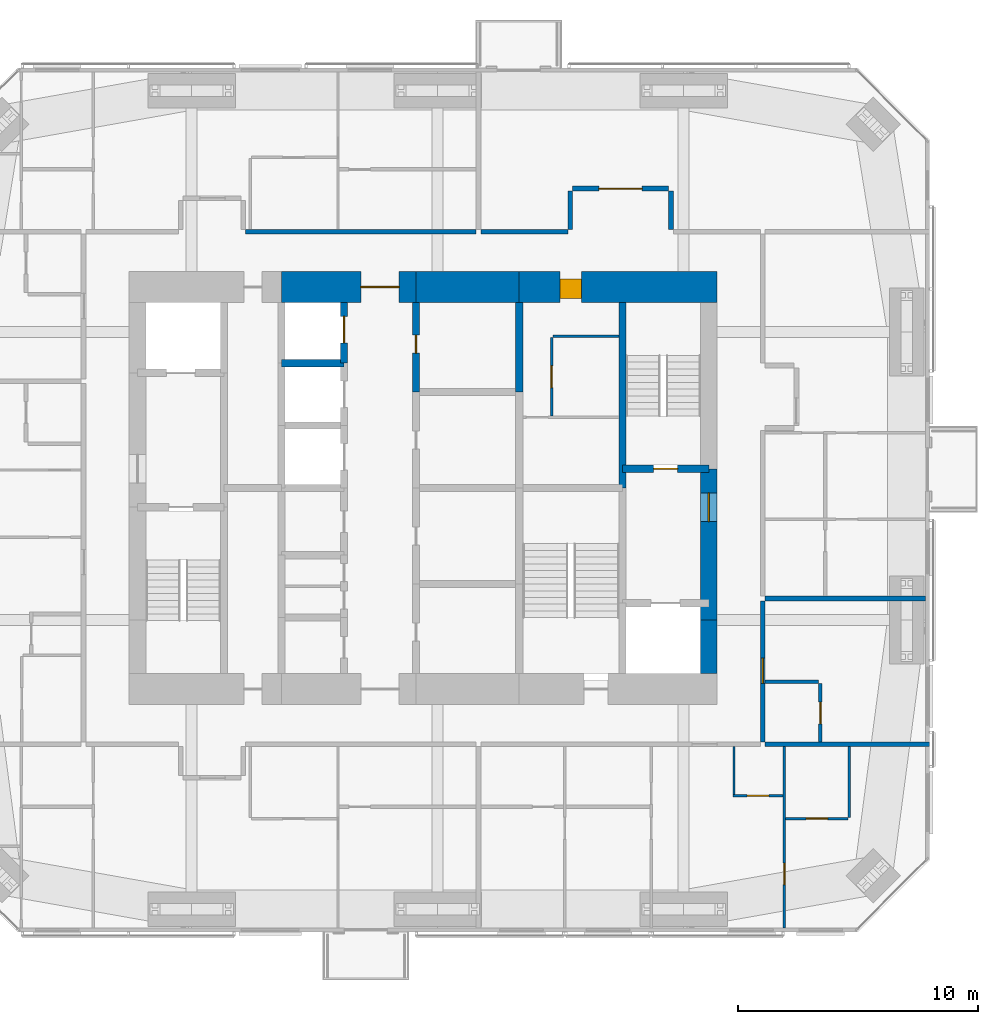
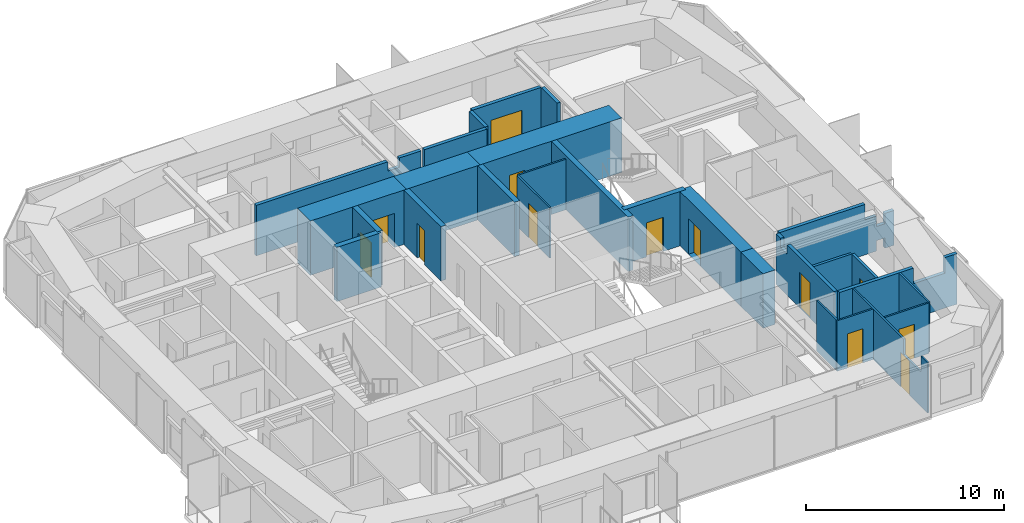
# One storey, part 19 of 22: 28 walls, 13 doors, 13 openings.
"""IFC4 building model written with IfcOpenShell, lengths in metres."""

from ifc_helpers import new_model, si_unit, direction, frame, frame_2d, origin, place, context, subcontext, project, spatial, polyline, rectangle, outline, extrude, material, layer, layer_set, constituent, constituent_set, type_object, element, fill, save


model = new_model("IFC4")

# Units and contexts
model_context = context("Model", 3, precision=1e-05, world=origin(), true_north=direction((0.0, 1.0)))
body_context = subcontext(model_context, "Body", "Model", "MODEL_VIEW")
ifc_project = project(units=[si_unit("LENGTHUNIT", "METRE"), si_unit("AREAUNIT", "SQUARE_METRE"), si_unit("VOLUMEUNIT", "CUBIC_METRE"), si_unit("PLANEANGLEUNIT", "RADIAN"), si_unit("MASSUNIT", "GRAM", prefix="KILO")], contexts=[model_context])

# Site, building, storey
site_placement = place(None, origin())
site = spatial("IfcSite", under=ifc_project, at=site_placement, CompositionType="ELEMENT")
building_placement = place(site_placement, origin())
building = spatial("IfcBuilding", under=site, at=building_placement, Name="Jalousie Tower", CompositionType="ELEMENT")
storey_placement = place(building_placement, frame((0.0, 0.0, 201.25)))
storey = spatial("IfcBuildingStorey", under=building, at=storey_placement, Name="L55", CompositionType="ELEMENT", Elevation=201.25)

# Wall, opening, door
ifc_material_1 = material(Name="Concrete block ASTM C90", Category="concrete")
ifc_constituent_1 = constituent(ifc_material_1, Name="Body")
ifc_material_2 = material(Name="Render")
ifc_constituent_2 = constituent(ifc_material_2, Name="Finish")
ifc_constituent_set_1 = constituent_set(constituents=[ifc_constituent_1, ifc_constituent_2])
wall_type_1 = type_object("IfcWallType", Name="BATHROOM WALL 150", PredefinedType="PLUMBINGWALL", material=ifc_constituent_set_1)
wall_1_placement = place(storey_placement, frame((48.449951171875, 7.925048828125, 0.0), z_axis=(0.0, 0.0, 1.0), x_axis=(0.0, 1.0, 0.0)))
wall_1 = element("IfcWall", 1, at=wall_1_placement, inside=storey, type_object=wall_type_1, Name="Bathroom Wall 150 L55", PredefinedType="PLUMBINGWALL", context=body_context, shape_type="SweptSolid", body=[
    extrude(rectangle(XDim=2.425048828125, YDim=0.14990234375, at=frame_2d((1.21240234375, 0.0))), origin(), (0.0, 0.0, 1.0), 3.110107421875),
])
opening_1_placement = place(wall_1_placement, frame((0.75, 0.0, 0.0)))
opening_1 = element("IfcOpeningElement", 2, at=opening_1_placement, cuts=wall_1, Name="Opening D3", PredefinedType="OPENING", context=body_context, shape_type="SweptSolid", body=[
    extrude(rectangle(XDim=0.89990234375, YDim=2.10009765625, at=frame_2d((0.449951171875, 1.050048828125))), frame((0.0, 0.0849609375, 0.0), z_axis=(0.0, -1.0, 0.0), x_axis=(1.0, 0.0, 0.0)), (0.0, 0.0, 1.0), 0.169921875),
])
ifc_material_3 = material(Name="Timber door", Category="wood")
door_type_1 = type_object("IfcDoorType", Name="BATHROOM DOOR 900", OperationType="SINGLE_SWING_LEFT", PredefinedType="DOOR", material=ifc_material_3)
door_1_placement = place(opening_1_placement, origin())
door_1 = element("IfcDoor", 3, at=door_1_placement, inside=storey, type_object=door_type_1, Name="Apartment 5506 bathroom door", OperationType="SINGLE_SWING_LEFT", OverallHeight=2.10009765625, OverallWidth=0.89990234375, PredefinedType="DOOR", context=body_context, shape_type="SweptSolid", body=[
    extrude(rectangle(XDim=0.89990234375, YDim=2.10009765625, at=frame_2d((0.449951171875, 1.050048828125))), frame((0.0, 0.02490234375, 0.0), z_axis=(0.0, -1.0, 0.0), x_axis=(1.0, 0.0, 0.0)), (0.0, 0.0, 1.0), 0.050048828125),
])
fill(opening_1, door_1)

# Wall
wall_2_placement = place(storey_placement, frame((48.375, 10.425048828125, 0.0), z_axis=(0.0, 0.0, 1.0), x_axis=(-1.0, 0.0, 0.0)))
element("IfcWall", 4, at=wall_2_placement, inside=storey, type_object=wall_type_1, Name="Bathroom Wall 150 L55", PredefinedType="PLUMBINGWALL", context=body_context, shape_type="SweptSolid", body=[
    extrude(rectangle(XDim=2.22509765625, YDim=0.14990234375, at=frame_2d((1.112548828125, 0.0))), origin(), (0.0, 0.0, 1.0), 3.110107421875),
])

# Wall, opening, door
ifc_material_4 = material(Name="Concrete f'c 120 MPa", Category="concrete")
ifc_layer_1 = layer(ifc_material_4, 1.300048828125)
ifc_layer_set_1 = layer_set([ifc_layer_1], Name="Concrete f'c 120 MPa")
wall_type_2 = type_object("IfcWallType", Name="CORE WALL 1300", PredefinedType="SHEAR", material=ifc_layer_set_1)
wall_3_placement = place(storey_placement, frame((44.14990234375, 26.875, 0.0), z_axis=(0.0, 0.0, 1.0), x_axis=(-1.0, 0.0, 0.0)))
wall_3 = element("IfcWall", 5, at=wall_3_placement, inside=storey, type_object=wall_type_2, Name="Core wall NA L55", PredefinedType="SHEAR", context=body_context, shape_type="SweptSolid", body=[
    extrude(rectangle(XDim=8.25, YDim=1.300048828125, at=frame_2d((4.125, 0.0))), origin(), (0.0, 0.0, 1.0), 3.35009765625),
])
opening_2_placement = place(wall_3_placement, frame((5.64990234375, 0.0, 0.0)))
opening_2 = element("IfcOpeningElement", 6, at=opening_2_placement, cuts=wall_3, Name="Opening D25", PredefinedType="OPENING", context=body_context, shape_type="SweptSolid", body=[
    extrude(rectangle(XDim=0.89990234375, YDim=2.10009765625, at=frame_2d((0.449951171875, 1.050048828125))), frame((0.0, 0.659912109375, 0.0), z_axis=(0.0, -1.0, 0.0), x_axis=(1.0, 0.0, 0.0)), (0.0, 0.0, 1.0), 1.320068359375),
])
ifc_material_5 = material(Name="Steel fire door", Category="steel")
door_type_2 = type_object("IfcDoorType", Name="SERVICE LOBBY DOOR 900", OperationType="SINGLE_SWING_LEFT", PredefinedType="DOOR", material=ifc_material_5)
door_2_placement = place(opening_2_placement, origin())
door_2 = element("IfcDoor", 7, at=door_2_placement, inside=storey, type_object=door_type_2, Name="Service lobby door", OperationType="SINGLE_SWING_RIGHT", OverallHeight=2.10009765625, OverallWidth=0.89990234375, PredefinedType="DOOR", context=body_context, shape_type="SweptSolid", body=[
    extrude(rectangle(XDim=0.89990234375, YDim=2.10009765625, at=frame_2d((0.449951171875, 1.050048828125))), frame((0.0, 0.47021484375, 0.0), z_axis=(0.0, -1.0, 0.0), x_axis=(1.0, 0.0, 0.0)), (0.0, 0.0, 1.0), 0.800048828125),
])
fill(opening_2, door_2)

# Wall
wall_4_placement = place(storey_placement, frame((35.89990234375, 26.875, 0.0), z_axis=(0.0, 0.0, 1.0), x_axis=(-1.0, 0.0, 0.0)))
element("IfcWall", 8, at=wall_4_placement, inside=storey, type_object=wall_type_2, Name="Core wall NB L55", PredefinedType="SHEAR", context=body_context, shape_type="SweptSolid", body=[
    extrude(rectangle(XDim=4.2998046875, YDim=1.300048828125, at=frame_2d((2.14990234375, 0.0))), origin(), (0.0, 0.0, 1.0), 3.35009765625),
])

# Wall, opening, door
wall_5_placement = place(storey_placement, frame((31.60009765625, 26.875, 0.0), z_axis=(0.0, 0.0, 1.0), x_axis=(-1.0, 0.0, 0.0)))
wall_5 = element("IfcWall", 9, at=wall_5_placement, inside=storey, type_object=wall_type_2, Name="Core wall NC L55", PredefinedType="SHEAR", context=body_context, shape_type="SweptSolid", body=[
    extrude(rectangle(XDim=5.60009765625, YDim=1.300048828125, at=frame_2d((2.800048828125, 0.0))), origin(), (0.0, 0.0, 1.0), 3.35009765625),
])
opening_3_placement = place(wall_5_placement, frame((0.699951171875, 0.0, 0.0)))
opening_3 = element("IfcOpeningElement", 10, at=opening_3_placement, cuts=wall_5, Name="Opening D15", PredefinedType="OPENING", context=body_context, shape_type="SweptSolid", body=[
    extrude(rectangle(XDim=1.60009765625, YDim=2.10009765625, at=frame_2d((0.800048828125, 1.050048828125))), frame((0.0, 0.659912109375, 0.0), z_axis=(0.0, -1.0, 0.0), x_axis=(1.0, 0.0, 0.0)), (0.0, 0.0, 1.0), 1.320068359375),
])
ifc_material_6 = material(Name="Steel fire door", Category="steel")
door_type_3 = type_object("IfcDoorType", Name="LIFT LOBBY DOOR 1600", OperationType="DOUBLE_DOOR_SINGLE_SWING", PredefinedType="DOOR", material=ifc_material_6)
door_3_placement = place(opening_3_placement, origin())
door_3 = element("IfcDoor", 11, at=door_3_placement, inside=storey, type_object=door_type_3, Name="Lift lobby north door", OperationType="DOUBLE_DOOR_SINGLE_SWING", OverallHeight=2.10009765625, OverallWidth=1.60009765625, PredefinedType="DOOR", context=body_context, shape_type="SweptSolid", body=[
    extrude(rectangle(XDim=1.60009765625, YDim=2.10009765625, at=frame_2d((0.800048828125, 1.050048828125))), frame((0.0, 0.02490234375, 0.0), z_axis=(0.0, -1.0, 0.0), x_axis=(1.0, 0.0, 0.0)), (0.0, 0.0, 1.0), 0.050048828125),
])
fill(opening_3, door_3)

ifc_material_7 = material(Name="Concrete f'c 120 MPa", Category="concrete")
ifc_layer_2 = layer(ifc_material_7, 0.300048828125)
ifc_layer_set_2 = layer_set([ifc_layer_2], Name="Concrete f'c 120 MPa")
wall_type_3 = type_object("IfcWallType", Name="CORE WALL 300", PredefinedType="SHEAR", material=ifc_layer_set_2)
wall_6_placement = place(storey_placement, frame((28.60009765625, 23.699951171875, 0.0), z_axis=(0.0, 0.0, 1.0), x_axis=(0.0, 1.0, 0.0)))
wall_6 = element("IfcWall", 12, at=wall_6_placement, inside=storey, type_object=wall_type_3, Name="Core wall X28.6F L55", PredefinedType="SHEAR", context=body_context, shape_type="SweptSolid", body=[
    extrude(rectangle(XDim=2.525146484375, YDim=0.300048828125, at=frame_2d((1.2626953125, 0.0))), origin(), (0.0, 0.0, 1.0), 3.35009765625),
])
opening_4_placement = place(wall_6_placement, frame((0.85009765625, 0.0, 0.0)))
opening_4 = element("IfcOpeningElement", 13, at=opening_4_placement, cuts=wall_6, Name="Opening LD1", PredefinedType="OPENING", context=body_context, shape_type="SweptSolid", body=[
    extrude(rectangle(XDim=1.10009765625, YDim=2.10009765625, at=frame_2d((0.550048828125, 1.050048828125))), frame((0.0, 0.159912109375, 0.0), z_axis=(0.0, -1.0, 0.0), x_axis=(1.0, 0.0, 0.0)), (0.0, 0.0, 1.0), 0.320068359375),
])
ifc_material_8 = material(Name="Steel lift landing door", Category="steel")
door_type_4 = type_object("IfcDoorType", Name="LIFT LANDING DOOR 1100", OperationType="SLIDING_TO_LEFT", PredefinedType="DOOR", material=ifc_material_8)
door_4_placement = place(opening_4_placement, origin())
door_4 = element("IfcDoor", 14, at=door_4_placement, inside=storey, type_object=door_type_4, Name="Lift P6 landing door", OperationType="SLIDING_TO_LEFT", OverallHeight=2.10009765625, OverallWidth=1.10009765625, PredefinedType="DOOR", context=body_context, shape_type="SweptSolid", body=[
    extrude(rectangle(XDim=1.10009765625, YDim=2.10009765625, at=frame_2d((0.550048828125, 1.050048828125))), frame((0.0, 0.02490234375, 0.0), z_axis=(0.0, -1.0, 0.0), x_axis=(1.0, 0.0, 0.0)), (0.0, 0.0, 1.0), 0.050048828125),
])
fill(opening_4, door_4)

wall_7_placement = place(storey_placement, frame((31.60009765625, 22.5, 0.0), z_axis=(0.0, 0.0, 1.0), x_axis=(0.0, 1.0, 0.0)))
wall_7 = element("IfcWall", 15, at=wall_7_placement, inside=storey, type_object=wall_type_3, Name="Core wall X31.6D L55", PredefinedType="SHEAR", context=body_context, shape_type="SweptSolid", body=[
    extrude(rectangle(XDim=3.72509765625, YDim=0.300048828125, at=frame_2d((1.862548828125, 0.0))), origin(), (0.0, 0.0, 1.0), 3.35009765625),
])
opening_5_placement = place(wall_7_placement, frame((1.625, 0.0, 0.0)))
opening_5 = element("IfcOpeningElement", 16, at=opening_5_placement, cuts=wall_7, Name="Opening D16", PredefinedType="OPENING", context=body_context, shape_type="SweptSolid", body=[
    extrude(rectangle(XDim=0.75, YDim=2.10009765625, at=frame_2d((0.375, 1.050048828125))), frame((0.0, 0.159912109375, 0.0), z_axis=(0.0, -1.0, 0.0), x_axis=(1.0, 0.0, 0.0)), (0.0, 0.0, 1.0), 0.320068359375),
])
ifc_material_9 = material(Name="Steel fire door", Category="steel")
door_type_5 = type_object("IfcDoorType", Name="RISER DOOR 750", OperationType="SINGLE_SWING_LEFT", PredefinedType="DOOR", material=ifc_material_9)
door_5_placement = place(opening_5_placement, frame((0.75, 0.0, 0.0), z_axis=(0.0, 0.0, 1.0), x_axis=(-1.0, 0.0, 0.0)))
door_5 = element("IfcDoor", 17, at=door_5_placement, inside=storey, type_object=door_type_5, Name="Water Services Room door", OperationType="SINGLE_SWING_LEFT", OverallHeight=2.10009765625, OverallWidth=0.75, PredefinedType="DOOR", context=body_context, shape_type="SweptSolid", body=[
    extrude(rectangle(XDim=0.75, YDim=2.10009765625, at=frame_2d((0.375, 1.050048828125))), frame((0.0, 0.02490234375, 0.0), z_axis=(0.0, -1.0, 0.0), x_axis=(1.0, 0.0, 0.0)), (0.0, 0.0, 1.0), 0.050048828125),
])
fill(opening_5, door_5)

# Walls
wall_8_placement = place(storey_placement, frame((35.89990234375, 22.5, 0.0), z_axis=(0.0, 0.0, 1.0), x_axis=(0.0, 1.0, 0.0)))
element("IfcWall", 18, at=wall_8_placement, inside=storey, type_object=wall_type_3, Name="Core wall X35.9D L55", PredefinedType="SHEAR", context=body_context, shape_type="SweptSolid", body=[
    extrude(rectangle(XDim=3.72509765625, YDim=0.300048828125, at=frame_2d((1.862548828125, 0.0))), origin(), (0.0, 0.0, 1.0), 3.35009765625),
])
wall_9_placement = place(storey_placement, frame((40.199951171875, 18.5, 0.0), z_axis=(0.0, 0.0, 1.0), x_axis=(0.0, 1.0, 0.0)))
element("IfcWall", 19, at=wall_9_placement, inside=storey, type_object=wall_type_3, Name="Core wall X40.2C L55", PredefinedType="SHEAR", context=body_context, shape_type="SweptSolid", body=[
    extrude(rectangle(XDim=7.72509765625, YDim=0.300048828125, at=frame_2d((3.862548828125, 0.0))), origin(), (0.0, 0.0, 1.0), 3.35009765625),
])
wall_10_placement = place(storey_placement, frame((26.0, 23.699951171875, 0.0), z_axis=(0.0, 0.0, 1.0), x_axis=(1.0, 0.0, 0.0)))
element("IfcWall", 20, at=wall_10_placement, inside=storey, type_object=wall_type_3, Name="Core wall Y26-23.7 L55", PredefinedType="SHEAR", context=body_context, shape_type="SweptSolid", body=[
    extrude(rectangle(XDim=2.60009765625, YDim=0.300048828125, at=frame_2d((1.300048828125, 0.0))), origin(), (0.0, 0.0, 1.0), 3.35009765625),
])

# Wall, opening, door
wall_11_placement = place(storey_placement, frame((40.199951171875, 19.300048828125, 0.0), z_axis=(0.0, 0.0, 1.0), x_axis=(1.0, 0.0, 0.0)))
wall_11 = element("IfcWall", 21, at=wall_11_placement, inside=storey, type_object=wall_type_3, Name="Core wall Y40.2-19.3 L55", PredefinedType="SHEAR", context=body_context, shape_type="SweptSolid", body=[
    extrude(rectangle(XDim=3.60009765625, YDim=0.300048828125, at=frame_2d((1.800048828125, 0.0))), origin(), (0.0, 0.0, 1.0), 3.35009765625),
])
opening_6_placement = place(wall_11_placement, frame((1.300048828125, 0.0, 0.0)))
opening_6 = element("IfcOpeningElement", 22, at=opening_6_placement, cuts=wall_11, Name="Opening D10", PredefinedType="OPENING", context=body_context, shape_type="SweptSolid", body=[
    extrude(rectangle(XDim=1.0, YDim=2.10009765625, at=frame_2d((0.5, 1.050048828125))), frame((0.0, 0.159912109375, 0.0), z_axis=(0.0, -1.0, 0.0), x_axis=(1.0, 0.0, 0.0)), (0.0, 0.0, 1.0), 0.320068359375),
])
ifc_material_10 = material(Name="Steel fire door", Category="steel")
door_type_6 = type_object("IfcDoorType", Name="STAIR DOOR 1000", OperationType="SINGLE_SWING_LEFT", PredefinedType="DOOR", material=ifc_material_10)
door_6_placement = place(opening_6_placement, origin())
door_6 = element("IfcDoor", 23, at=door_6_placement, inside=storey, type_object=door_type_6, Name="Exit stair B door", OperationType="SINGLE_SWING_RIGHT", OverallHeight=2.10009765625, OverallWidth=1.0, PredefinedType="DOOR", context=body_context, shape_type="SweptSolid", body=[
    extrude(rectangle(XDim=1.0, YDim=2.10009765625, at=frame_2d((0.5, 1.050048828125))), frame((0.0, 0.02490234375, 0.0), z_axis=(0.0, -1.0, 0.0), x_axis=(1.0, 0.0, 0.0)), (0.0, 0.0, 1.0), 0.050048828125),
])
fill(opening_6, door_6)

# Wall
ifc_material_11 = material(Name="Concrete f'c 120 MPa", Category="concrete")
ifc_layer_3 = layer(ifc_material_11, 0.699951171875)
ifc_layer_set_3 = layer_set([ifc_layer_3], Name="Concrete f'c 120 MPa")
wall_type_4 = type_object("IfcWallType", Name="CORE WALL 700", PredefinedType="SHEAR", material=ifc_layer_set_3)
wall_12_placement = place(storey_placement, frame((43.800048828125, 10.77490234375, 0.0), z_axis=(0.0, 0.0, 1.0), x_axis=(0.0, 1.0, 0.0)))
element("IfcWall", 24, at=wall_12_placement, inside=storey, type_object=wall_type_4, Name="Core wall EA L55", PredefinedType="SHEAR", context=body_context, shape_type="SweptSolid", body=[
    extrude(rectangle(XDim=2.22509765625, YDim=0.699951171875, at=frame_2d((1.112548828125, 0.0))), origin(), (0.0, 0.0, 1.0), 3.35009765625),
])

# Wall, opening, door
wall_13_placement = place(storey_placement, frame((43.800048828125, 13.0, 0.0), z_axis=(0.0, 0.0, 1.0), x_axis=(0.0, 1.0, 0.0)))
wall_13 = element("IfcWall", 25, at=wall_13_placement, inside=storey, type_object=wall_type_4, Name="Core wall EB L55", PredefinedType="SHEAR", context=body_context, shape_type="SweptSolid", body=[
    extrude(rectangle(XDim=6.300048828125, YDim=0.699951171875, at=frame_2d((3.14990234375, 0.0))), origin(), (0.0, 0.0, 1.0), 3.35009765625),
])
opening_7_placement = place(wall_13_placement, frame((4.10009765625, 0.0, 0.0)))
opening_7 = element("IfcOpeningElement", 26, at=opening_7_placement, cuts=wall_13, Name="Opening D11", PredefinedType="OPENING", context=body_context, shape_type="SweptSolid", body=[
    extrude(rectangle(XDim=1.199951171875, YDim=2.199951171875, at=frame_2d((0.60009765625, 1.10009765625))), frame((0.0, 0.35986328125, 0.0), z_axis=(0.0, -1.0, 0.0), x_axis=(1.0, 0.0, 0.0)), (0.0, 0.0, 1.0), 0.719970703125),
])
ifc_material_12 = material(Name="Steel fire door", Category="steel")
door_type_7 = type_object("IfcDoorType", Name="FIRE DOOR 1200", OperationType="SINGLE_SWING_LEFT", PredefinedType="DOOR", material=ifc_material_12)
door_7_placement = place(opening_7_placement, origin())
door_7 = element("IfcDoor", 27, at=door_7_placement, inside=storey, type_object=door_type_7, Name="Fire-fighting lobby B door", OperationType="SINGLE_SWING_RIGHT", OverallHeight=2.199951171875, OverallWidth=1.199951171875, PredefinedType="DOOR", context=body_context, shape_type="SweptSolid", body=[
    extrude(rectangle(XDim=1.199951171875, YDim=2.199951171875, at=frame_2d((0.60009765625, 1.10009765625))), frame((0.0, 0.02490234375, 0.0), z_axis=(0.0, -1.0, 0.0), x_axis=(1.0, 0.0, 0.0)), (0.0, 0.0, 1.0), 0.050048828125),
])
fill(opening_7, door_7)

# Wall
ifc_material_13 = material(Name="Concrete block ASTM C90", Category="concrete")
ifc_constituent_3 = constituent(ifc_material_13, Name="Body")
ifc_material_14 = material(Name="Render")
ifc_constituent_4 = constituent(ifc_material_14, Name="Finish")
ifc_constituent_set_2 = constituent_set(constituents=[ifc_constituent_3, ifc_constituent_4])
wall_type_5 = type_object("IfcWallType", Name="CORRIDOR WALL 200", PredefinedType="PARTITIONING", material=ifc_constituent_set_2)
wall_14_placement = place(storey_placement, frame((34.300048828125, 29.175048828125, 0.0), z_axis=(0.0, 0.0, 1.0), x_axis=(1.0, 0.0, 0.0)))
element("IfcWall", 28, at=wall_14_placement, inside=storey, type_object=wall_type_5, Name="Corridor Wall 200 L55", PredefinedType="PARTITIONING", context=body_context, shape_type="SweptSolid", body=[
    extrude(rectangle(XDim=3.625, YDim=0.199951171875, at=frame_2d((1.8125, 0.0))), origin(), (0.0, 0.0, 1.0), 3.110107421875),
])

# Wall, opening, door
wall_15_placement = place(storey_placement, frame((46.050048828125, 7.925048828125, 0.0), z_axis=(0.0, 0.0, 1.0), x_axis=(0.0, 1.0, 0.0)))
wall_15 = element("IfcWall", 29, at=wall_15_placement, inside=storey, type_object=wall_type_5, Name="Corridor Wall 200 L55", PredefinedType="PARTITIONING", context=body_context, shape_type="SweptSolid", body=[
    extrude(outline(polyline([(0.0, 0.0), (5.875, 0.0), (5.875, 3.110107421875), (5.412353515625, 3.110107421875), (5.412353515625, 2.541015625), (4.73779296875, 2.541015625), (4.73779296875, 3.110107421875), (0.0, 3.110107421875), (0.0, 0.0)])), frame((0.0, 0.10009765625, 0.0), z_axis=(0.0, -1.0, 0.0), x_axis=(1.0, 0.0, 0.0)), (0.0, 0.0, 1.0), 0.199951171875),
])
opening_8_placement = place(wall_15_placement, frame((2.4375, 0.0, 0.0)))
opening_8 = element("IfcOpeningElement", 30, at=opening_8_placement, cuts=wall_15, Name="Opening D1", PredefinedType="OPENING", context=body_context, shape_type="SweptSolid", body=[
    extrude(rectangle(XDim=1.050048828125, YDim=2.199951171875, at=frame_2d((0.52490234375, 1.10009765625))), frame((0.0, 0.10986328125, 0.0), z_axis=(0.0, -1.0, 0.0), x_axis=(1.0, 0.0, 0.0)), (0.0, 0.0, 1.0), 0.219970703125),
])
ifc_material_15 = material(Name="Timber fire door", Category="wood")
door_type_8 = type_object("IfcDoorType", Name="APARTMENT ENTRANCE DOOR 1050", OperationType="SINGLE_SWING_LEFT", PredefinedType="DOOR", material=ifc_material_15)
door_8_placement = place(opening_8_placement, frame((1.050048828125, 0.0, 0.0), z_axis=(0.0, 0.0, 1.0), x_axis=(-1.0, 0.0, 0.0)))
door_8 = element("IfcDoor", 31, at=door_8_placement, inside=storey, type_object=door_type_8, Name="Apartment 5506 entrance", OperationType="SINGLE_SWING_LEFT", OverallHeight=2.199951171875, OverallWidth=1.050048828125, PredefinedType="DOOR", context=body_context, shape_type="SweptSolid", body=[
    extrude(rectangle(XDim=1.050048828125, YDim=2.199951171875, at=frame_2d((0.52490234375, 1.10009765625))), frame((0.0, 0.02490234375, 0.0), z_axis=(0.0, -1.0, 0.0), x_axis=(1.0, 0.0, 0.0)), (0.0, 0.0, 1.0), 0.050048828125),
])
fill(opening_8, door_8)

# Wall
wall_16_placement = place(storey_placement, frame((24.5, 29.175048828125, 0.0), z_axis=(0.0, 0.0, 1.0), x_axis=(1.0, 0.0, 0.0)))
element("IfcWall", 32, at=wall_16_placement, inside=storey, type_object=wall_type_5, Name="Corridor Wall 200 L55", PredefinedType="PARTITIONING", context=body_context, shape_type="SweptSolid", body=[
    extrude(outline(polyline([(0.0, 0.0), (9.60009765625, 0.0), (9.60009765625, 3.110107421875), (8.33740234375, 3.110107421875), (8.33740234375, 2.541015625), (7.66259765625, 2.541015625), (7.66259765625, 3.110107421875), (0.0, 3.110107421875), (0.0, 0.0)])), frame((0.0, 0.10009765625, 0.0), z_axis=(0.0, -1.0, 0.0), x_axis=(1.0, 0.0, 0.0)), (0.0, 0.0, 1.0), 0.199951171875),
])

# Wall, opening, door
wall_17_placement = place(storey_placement, frame((38.125, 30.97509765625, 0.0), z_axis=(0.0, 0.0, 1.0), x_axis=(1.0, 0.0, 0.0)))
wall_17 = element("IfcWall", 33, at=wall_17_placement, inside=storey, type_object=wall_type_5, Name="Corridor Wall 200 L55", PredefinedType="PARTITIONING", context=body_context, shape_type="SweptSolid", body=[
    extrude(rectangle(XDim=4.0, YDim=0.199951171875, at=frame_2d((2.0, 0.0))), origin(), (0.0, 0.0, 1.0), 3.110107421875),
])
opening_9_placement = place(wall_17_placement, frame((1.10009765625, 0.0, 0.0)))
opening_9 = element("IfcOpeningElement", 34, at=opening_9_placement, cuts=wall_17, Name="Opening D22", PredefinedType="OPENING", context=body_context, shape_type="SweptSolid", body=[
    extrude(rectangle(XDim=1.800048828125, YDim=2.10009765625, at=frame_2d((0.89990234375, 1.050048828125))), frame((0.0, 0.10986328125, 0.0), z_axis=(0.0, -1.0, 0.0), x_axis=(1.0, 0.0, 0.0)), (0.0, 0.0, 1.0), 0.219970703125),
])
ifc_material_16 = material(Name="Timber fire door", Category="wood")
door_type_9 = type_object("IfcDoorType", Name="CORRIDOR DOUBLE DOOR 1800", OperationType="DOUBLE_DOOR_SINGLE_SWING", PredefinedType="DOOR", material=ifc_material_16)
door_9_placement = place(opening_9_placement, origin())
door_9 = element("IfcDoor", 35, at=door_9_placement, inside=storey, type_object=door_type_9, Name="Residents' lounge door", OperationType="DOUBLE_DOOR_SINGLE_SWING", OverallHeight=2.10009765625, OverallWidth=1.800048828125, PredefinedType="DOOR", context=body_context, shape_type="SweptSolid", body=[
    extrude(rectangle(XDim=1.800048828125, YDim=2.10009765625, at=frame_2d((0.89990234375, 1.050048828125))), frame((0.0, 0.02490234375, 0.0), z_axis=(0.0, -1.0, 0.0), x_axis=(1.0, 0.0, 0.0)), (0.0, 0.0, 1.0), 0.050048828125),
])
fill(opening_9, door_9)

# Walls
for number, where, z_axis, x_axis, name in (
    (36, (38.02490234375, 29.27490234375, 0.0), (0.0, 0.0, 1.0), (0.0, 1.0, 0.0), "Corridor Wall 200 L55"),
    (37, (42.22509765625, 29.27490234375, 0.0), (0.0, 0.0, 1.0), (0.0, 1.0, 0.0), "Corridor Wall 200 L55"),
):
    element("IfcWall", number, at=place(storey_placement, frame(where, z_axis=z_axis, x_axis=x_axis)), inside=storey, type_object=wall_type_5, Name=name, PredefinedType="PARTITIONING", context=body_context, shape_type="SweptSolid", body=[
        extrude(rectangle(XDim=1.60009765625, YDim=0.199951171875, at=frame_2d((0.800048828125, 0.0))), origin(), (0.0, 0.0, 1.0), 3.110107421875),
    ])

# Wall, opening, door
ifc_material_17 = material(Name="Gypsum board", Category="gypsum")
ifc_constituent_5 = constituent(ifc_material_17, Name="Body")
ifc_material_18 = material(Name="Light-gauge steel studs ASTM A653 SS Grade 33", Category="steel")
ifc_constituent_6 = constituent(ifc_material_18, Name="Framing")
ifc_constituent_set_3 = constituent_set(constituents=[ifc_constituent_5, ifc_constituent_6])
wall_type_6 = type_object("IfcWallType", Name="PARTITION 100", PredefinedType="PARTITIONING", material=ifc_constituent_set_3)
wall_18_placement = place(storey_placement, frame((46.949951171875, 0.175048828125, 0.0), z_axis=(0.0, 0.0, 1.0), x_axis=(0.0, 1.0, 0.0)))
wall_18 = element("IfcWall", 38, at=wall_18_placement, inside=storey, type_object=wall_type_6, Name="Partition 100 L55", PredefinedType="PARTITIONING", context=body_context, shape_type="SweptSolid", body=[
    extrude(outline(polyline([(0.0, 0.0), (7.550048828125, 0.0), (7.550048828125, 3.110107421875), (2.3916015625, 3.110107421875), (2.3916015625, 2.14990234375), (0.64501953125, 2.14990234375), (0.64501953125, 3.110107421875), (0.0, 3.110107421875), (0.0, 0.0)])), frame((0.0, 0.050048828125, 0.0), z_axis=(0.0, -1.0, 0.0), x_axis=(1.0, 0.0, 0.0)), (0.0, 0.0, 1.0), 0.10009765625),
])
opening_10_placement = place(wall_18_placement, frame((1.800048828125, 0.0, 0.0)))
opening_10 = element("IfcOpeningElement", 39, at=opening_10_placement, cuts=wall_18, Name="Opening D2", PredefinedType="OPENING", context=body_context, shape_type="SweptSolid", body=[
    extrude(rectangle(XDim=0.89990234375, YDim=2.10009765625, at=frame_2d((0.449951171875, 1.050048828125))), frame((0.0, 0.06005859375, 0.0), z_axis=(0.0, -1.0, 0.0), x_axis=(1.0, 0.0, 0.0)), (0.0, 0.0, 1.0), 0.1201171875),
])
ifc_material_19 = material(Name="Timber door", Category="wood")
door_type_10 = type_object("IfcDoorType", Name="BEDROOM DOOR 900", OperationType="SINGLE_SWING_LEFT", PredefinedType="DOOR", material=ifc_material_19)
door_10_placement = place(opening_10_placement, origin())
door_10 = element("IfcDoor", 40, at=door_10_placement, inside=storey, type_object=door_type_10, Name="Apartment 5502 study door", OperationType="SINGLE_SWING_LEFT", OverallHeight=2.10009765625, OverallWidth=0.89990234375, PredefinedType="DOOR", context=body_context, shape_type="SweptSolid", body=[
    extrude(rectangle(XDim=0.89990234375, YDim=2.10009765625, at=frame_2d((0.449951171875, 1.050048828125))), frame((0.0, 0.02490234375, 0.0), z_axis=(0.0, -1.0, 0.0), x_axis=(1.0, 0.0, 0.0)), (0.0, 0.0, 1.0), 0.050048828125),
])
fill(opening_10, door_10)

wall_19_placement = place(storey_placement, frame((47.0, 4.72509765625, 0.0), z_axis=(0.0, 0.0, 1.0), x_axis=(1.0, 0.0, 0.0)))
wall_19 = element("IfcWall", 41, at=wall_19_placement, inside=storey, type_object=wall_type_6, Name="Partition 100 L55", PredefinedType="PARTITIONING", context=body_context, shape_type="SweptSolid", body=[
    extrude(rectangle(XDim=2.60009765625, YDim=0.10009765625, at=frame_2d((1.300048828125, 0.0))), origin(), (0.0, 0.0, 1.0), 3.110107421875),
])
opening_11_placement = place(wall_19_placement, frame((0.85009765625, 0.0, 0.0)))
opening_11 = element("IfcOpeningElement", 42, at=opening_11_placement, cuts=wall_19, Name="Opening D7", PredefinedType="OPENING", context=body_context, shape_type="SweptSolid", body=[
    extrude(rectangle(XDim=0.89990234375, YDim=2.10009765625, at=frame_2d((0.449951171875, 1.050048828125))), frame((0.0, 0.06005859375, 0.0), z_axis=(0.0, -1.0, 0.0), x_axis=(1.0, 0.0, 0.0)), (0.0, 0.0, 1.0), 0.1201171875),
])
ifc_material_20 = material(Name="Timber door", Category="wood")
door_type_11 = type_object("IfcDoorType", Name="INTERNAL DOOR 900", OperationType="SINGLE_SWING_LEFT", PredefinedType="DOOR", material=ifc_material_20)
door_11_placement = place(opening_11_placement, frame((0.89990234375, 0.0, 0.0), z_axis=(0.0, 0.0, 1.0), x_axis=(-1.0, 0.0, 0.0)))
door_11 = element("IfcDoor", 43, at=door_11_placement, inside=storey, type_object=door_type_11, Name="Apartment 5502 kitchen door", OperationType="SINGLE_SWING_RIGHT", OverallHeight=2.10009765625, OverallWidth=0.89990234375, PredefinedType="DOOR", context=body_context, shape_type="SweptSolid", body=[
    extrude(rectangle(XDim=0.89990234375, YDim=2.10009765625, at=frame_2d((0.449951171875, 1.050048828125))), frame((0.0, 0.02490234375, 0.0), z_axis=(0.0, -1.0, 0.0), x_axis=(1.0, 0.0, 0.0)), (0.0, 0.0, 1.0), 0.050048828125),
])
fill(opening_11, door_11)

# Wall
wall_20_placement = place(storey_placement, frame((49.64990234375, 4.77490234375, 0.0), z_axis=(0.0, 0.0, 1.0), x_axis=(0.0, 1.0, 0.0)))
element("IfcWall", 44, at=wall_20_placement, inside=storey, type_object=wall_type_6, Name="Partition 100 L55", PredefinedType="PARTITIONING", context=body_context, shape_type="SweptSolid", body=[
    extrude(rectangle(XDim=2.9501953125, YDim=0.10009765625, at=frame_2d((1.47509765625, 0.0))), origin(), (0.0, 0.0, 1.0), 3.110107421875),
])

# Wall, opening, door
wall_21_placement = place(storey_placement, frame((46.89990234375, 5.675048828125, 0.0), z_axis=(0.0, 0.0, 1.0), x_axis=(-1.0, 0.0, 0.0)))
wall_21 = element("IfcWall", 45, at=wall_21_placement, inside=storey, type_object=wall_type_6, Name="Partition 100 L55", PredefinedType="PARTITIONING", context=body_context, shape_type="SweptSolid", body=[
    extrude(rectangle(XDim=2.099853515625, YDim=0.10009765625, at=frame_2d((1.0498046875, 0.0))), origin(), (0.0, 0.0, 1.0), 3.110107421875),
])
opening_12_placement = place(wall_21_placement, frame((0.60009765625, 0.0, 0.0)))
opening_12 = element("IfcOpeningElement", 46, at=opening_12_placement, cuts=wall_21, Name="Opening D7", PredefinedType="OPENING", context=body_context, shape_type="SweptSolid", body=[
    extrude(rectangle(XDim=0.89990234375, YDim=2.10009765625, at=frame_2d((0.449951171875, 1.050048828125))), frame((0.0, 0.06005859375, 0.0), z_axis=(0.0, -1.0, 0.0), x_axis=(1.0, 0.0, 0.0)), (0.0, 0.0, 1.0), 0.1201171875),
])
door_12_placement = place(opening_12_placement, origin())
door_12 = element("IfcDoor", 47, at=door_12_placement, inside=storey, type_object=door_type_11, Name="Apartment 5502 study store room door", OperationType="SINGLE_SWING_LEFT", OverallHeight=2.10009765625, OverallWidth=0.89990234375, PredefinedType="DOOR", context=body_context, shape_type="SweptSolid", body=[
    extrude(rectangle(XDim=0.89990234375, YDim=2.10009765625, at=frame_2d((0.449951171875, 1.050048828125))), frame((0.0, 0.02490234375, 0.0), z_axis=(0.0, -1.0, 0.0), x_axis=(1.0, 0.0, 0.0)), (0.0, 0.0, 1.0), 0.050048828125),
])
fill(opening_12, door_12)

# Walls
wall_22_placement = place(storey_placement, frame((44.85009765625, 7.72509765625, 0.0), z_axis=(0.0, 0.0, 1.0), x_axis=(0.0, -1.0, 0.0)))
element("IfcWall", 48, at=wall_22_placement, inside=storey, type_object=wall_type_6, Name="Partition 100 L55", PredefinedType="PARTITIONING", context=body_context, shape_type="SweptSolid", body=[
    extrude(rectangle(XDim=2.0, YDim=0.10009765625, at=frame_2d((1.0, 0.0))), origin(), (0.0, 0.0, 1.0), 3.110107421875),
])
wall_23_placement = place(storey_placement, frame((37.300048828125, 24.824951171875, 0.0), z_axis=(0.0, 0.0, 1.0), x_axis=(1.0, 0.0, 0.0)))
element("IfcWall", 49, at=wall_23_placement, inside=storey, type_object=wall_type_6, Name="Partition 100 L55", PredefinedType="PARTITIONING", context=body_context, shape_type="SweptSolid", body=[
    extrude(rectangle(XDim=2.75, YDim=0.10009765625, at=frame_2d((1.375, 0.0))), origin(), (0.0, 0.0, 1.0), 3.110107421875),
])

# Wall, opening, door
wall_24_placement = place(storey_placement, frame((37.25, 21.5, 0.0), z_axis=(0.0, 0.0, 1.0), x_axis=(0.0, 1.0, 0.0)))
wall_24 = element("IfcWall", 50, at=wall_24_placement, inside=storey, type_object=wall_type_6, Name="Partition 100 L55", PredefinedType="PARTITIONING", context=body_context, shape_type="SweptSolid", body=[
    extrude(rectangle(XDim=3.27490234375, YDim=0.10009765625, at=frame_2d((1.637451171875, 0.0))), origin(), (0.0, 0.0, 1.0), 3.110107421875),
])
opening_13_placement = place(wall_24_placement, frame((1.1875, 0.0, 0.0)))
opening_13 = element("IfcOpeningElement", 51, at=opening_13_placement, cuts=wall_24, Name="Opening D7", PredefinedType="OPENING", context=body_context, shape_type="SweptSolid", body=[
    extrude(rectangle(XDim=0.89990234375, YDim=2.10009765625, at=frame_2d((0.449951171875, 1.050048828125))), frame((0.0, 0.06005859375, 0.0), z_axis=(0.0, -1.0, 0.0), x_axis=(1.0, 0.0, 0.0)), (0.0, 0.0, 1.0), 0.1201171875),
])
door_13_placement = place(opening_13_placement, frame((0.89990234375, 0.0, 0.0), z_axis=(0.0, 0.0, 1.0), x_axis=(-1.0, 0.0, 0.0)))
door_13 = element("IfcDoor", 52, at=door_13_placement, inside=storey, type_object=door_type_11, Name="Ice and vending room door", OperationType="SINGLE_SWING_LEFT", OverallHeight=2.10009765625, OverallWidth=0.89990234375, PredefinedType="DOOR", context=body_context, shape_type="SweptSolid", body=[
    extrude(rectangle(XDim=0.89990234375, YDim=2.10009765625, at=frame_2d((0.449951171875, 1.050048828125))), frame((0.0, 0.02490234375, 0.0), z_axis=(0.0, -1.0, 0.0), x_axis=(1.0, 0.0, 0.0)), (0.0, 0.0, 1.0), 0.050048828125),
])
fill(opening_13, door_13)

# Walls
ifc_material_21 = material(Name="Concrete block ASTM C90", Category="concrete")
ifc_constituent_7 = constituent(ifc_material_21, Name="Body")
ifc_material_22 = material(Name="Render")
ifc_constituent_8 = constituent(ifc_material_22, Name="Finish")
ifc_constituent_set_4 = constituent_set(constituents=[ifc_constituent_7, ifc_constituent_8])
wall_type_7 = type_object("IfcWallType", Name="PARTY WALL 200", PredefinedType="PARTITIONING", material=ifc_constituent_set_4)
wall_25_placement = place(storey_placement, frame((46.14990234375, 7.824951171875, 0.0), z_axis=(0.0, 0.0, 1.0), x_axis=(1.0, 0.0, 0.0)))
element("IfcWall", 53, at=wall_25_placement, inside=storey, type_object=wall_type_7, Name="Party Wall 200 L55", PredefinedType="PARTITIONING", context=body_context, shape_type="SweptSolid", body=[
    extrude(outline(polyline([(0.0, 0.0), (6.85009765625, 0.0), (6.85009765625, 3.110107421875), (6.138427734375, 3.110107421875), (6.138427734375, 2.14990234375), (4.302734375, 2.14990234375), (4.302734375, 3.110107421875), (0.0, 3.110107421875), (0.0, 0.0)])), frame((0.0, 0.10009765625, 0.0), z_axis=(0.0, -1.0, 0.0), x_axis=(1.0, 0.0, 0.0)), (0.0, 0.0, 1.0), 0.199951171875),
])
wall_26_placement = place(storey_placement, frame((52.824951171875, 13.89990234375, 0.0), z_axis=(0.0, 0.0, 1.0), x_axis=(-1.0, 0.0, 0.0)))
element("IfcWall", 54, at=wall_26_placement, inside=storey, type_object=wall_type_7, Name="Party Wall 200 L55", PredefinedType="PARTITIONING", context=body_context, shape_type="SweptSolid", body=[
    extrude(outline(polyline([(0.52880859375, 2.14990234375), (0.0, 2.14990234375), (0.0, 0.0), (0.52880859375, 0.0), (0.52880859375, 0.636474609375), (1.021240234375, 0.636474609375), (1.021240234375, 0.0), (6.675048828125, 0.0), (6.675048828125, 3.110107421875), (1.68505859375, 3.110107421875), (1.68505859375, 2.14990234375), (1.021240234375, 2.14990234375), (1.021240234375, 1.513671875), (0.52880859375, 1.513671875), (0.52880859375, 2.14990234375)])), frame((0.0, 0.10009765625, 0.0), z_axis=(0.0, -1.0, 0.0), x_axis=(1.0, 0.0, 0.0)), (0.0, 0.0, 1.0), 0.199951171875),
])

save(model, "model.ifc")
